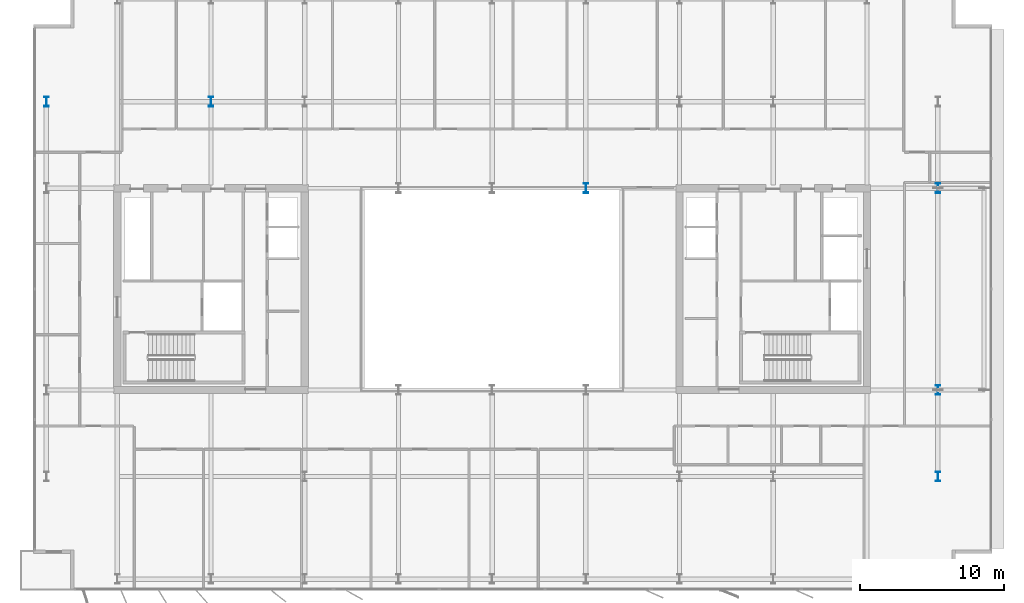
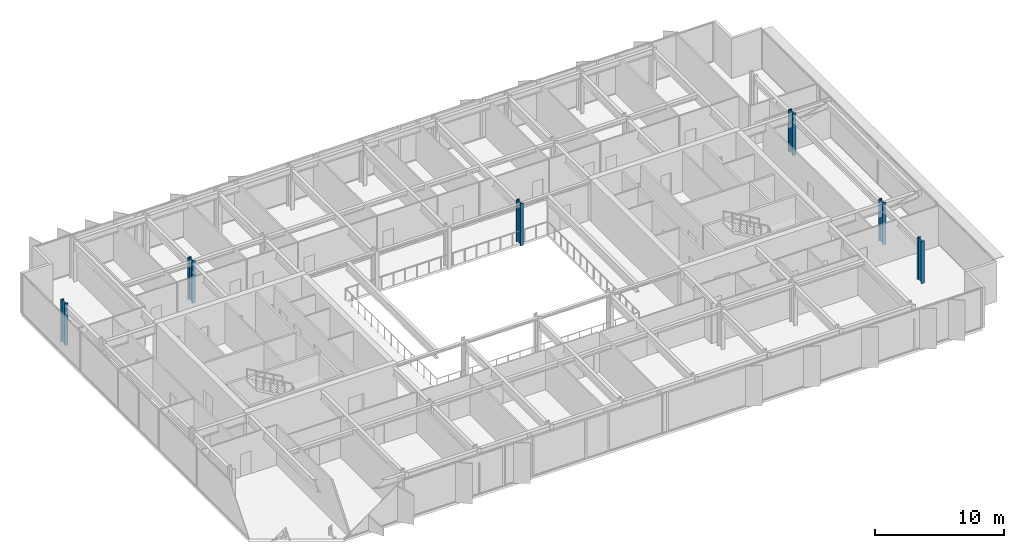
# One storey, part 2 of 20: 6 columns.
"""IFC4 building model written with IfcOpenShell, lengths in metres."""

from ifc_helpers import new_model, si_unit, direction, frame, origin, origin_2d, place, context, subcontext, project, spatial, i_section, extrude, material, material_profile, profile_set, type_object, element, save


model = new_model("IFC4")

# Units and contexts
model_context = context("Model", 3, precision=1e-05, world=origin(), true_north=direction((0.0, 1.0)))
body_context = subcontext(model_context, "Body", "Model", "MODEL_VIEW")
ifc_project = project(units=[si_unit("LENGTHUNIT", "METRE"), si_unit("AREAUNIT", "SQUARE_METRE"), si_unit("VOLUMEUNIT", "CUBIC_METRE"), si_unit("PLANEANGLEUNIT", "RADIAN"), si_unit("MASSUNIT", "GRAM", prefix="KILO")], contexts=[model_context])

# Site, building, storey
site_placement = place(None, origin())
site = spatial("IfcSite", under=ifc_project, at=site_placement, CompositionType="ELEMENT")
building_placement = place(site_placement, origin())
building = spatial("IfcBuilding", under=site, at=building_placement, Name="Putna Gate Headquarters", CompositionType="ELEMENT")
storey_placement = place(building_placement, frame((0.0, 0.0, 294.39990234375)))
storey = spatial("IfcBuildingStorey", under=building, at=storey_placement, Name="L74", CompositionType="ELEMENT", Elevation=294.39990234375)

# Columns
ifc_material = material(Name="Steel S460M", Category="steel")
ifc_material_profile_1 = material_profile(ifc_material, i_section(OverallWidth=0.304931640625, OverallDepth=0.66796875, WebThickness=0.02099609375, FlangeThickness=0.0400390625, at=origin_2d()), Name="Steel S460M")
ifc_profile_set_1 = profile_set([ifc_material_profile_1], Name="Steel S460M")
column_type_1 = type_object("IfcColumnType", Name="COL-STL-HEM650-EXT", PredefinedType="COLUMN", material=ifc_profile_set_1)
for number, where, z_axis, x_axis, name in (
    (1, (69.919921875, 13.0, 0.0), (0.0, 0.0, 1.0), (1.0, 0.0, 0.0), "L74 Column CP-E13"),
    (2, (69.919921875, 19.0, 0.0), (0.0, 0.0, 1.0), (1.0, 0.0, 0.0), "L74 Column CP-E19"),
    (3, (69.919921875, 33.0, 0.0), (0.0, 0.0, 1.0), (1.0, 0.0, 0.0), "L74 Column CP-E33"),
    (4, (8.080078125, 39.0, 0.0), (0.0, 0.0, 1.0), (1.0, 0.0, 0.0), "L74 Column CP-W39"),
):
    element("IfcColumn", number, at=place(storey_placement, frame(where, z_axis=z_axis, x_axis=x_axis)), inside=storey, type_object=column_type_1, Name=name, PredefinedType="COLUMN", context=body_context, shape_type="SweptSolid", body=[
        extrude(i_section(OverallWidth=0.304931640625, OverallDepth=0.66796875, WebThickness=0.02099609375, FlangeThickness=0.0400390625, at=origin_2d()), origin(), (0.0, 0.0, 1.0), 4.0),
    ])
ifc_material_profile_2 = material_profile(ifc_material, i_section(OverallWidth=0.304931640625, OverallDepth=0.66796875, WebThickness=0.02099609375, FlangeThickness=0.0400390625, at=origin_2d()), Name="Steel S460M")
ifc_profile_set_2 = profile_set([ifc_material_profile_2], Name="Steel S460M")
column_type_2 = type_object("IfcColumnType", Name="COL-STL-HEM650-INT", PredefinedType="COLUMN", material=ifc_profile_set_2)
for number, where, z_axis, x_axis, name in (
    (5, (19.5, 39.0, 0.0), (0.0, 0.0, 1.0), (1.0, 0.0, 0.0), "L74 Column CSI-WN"),
    (6, (45.5, 33.0, 0.0), (0.0, 0.0, 1.0), (1.0, 0.0, 0.0), "L74 Column CAI-N45"),
):
    element("IfcColumn", number, at=place(storey_placement, frame(where, z_axis=z_axis, x_axis=x_axis)), inside=storey, type_object=column_type_2, Name=name, PredefinedType="COLUMN", context=body_context, shape_type="SweptSolid", body=[
        extrude(i_section(OverallWidth=0.304931640625, OverallDepth=0.66796875, WebThickness=0.02099609375, FlangeThickness=0.0400390625, at=origin_2d()), origin(), (0.0, 0.0, 1.0), 4.0),
    ])

save(model, "model.ifc")
